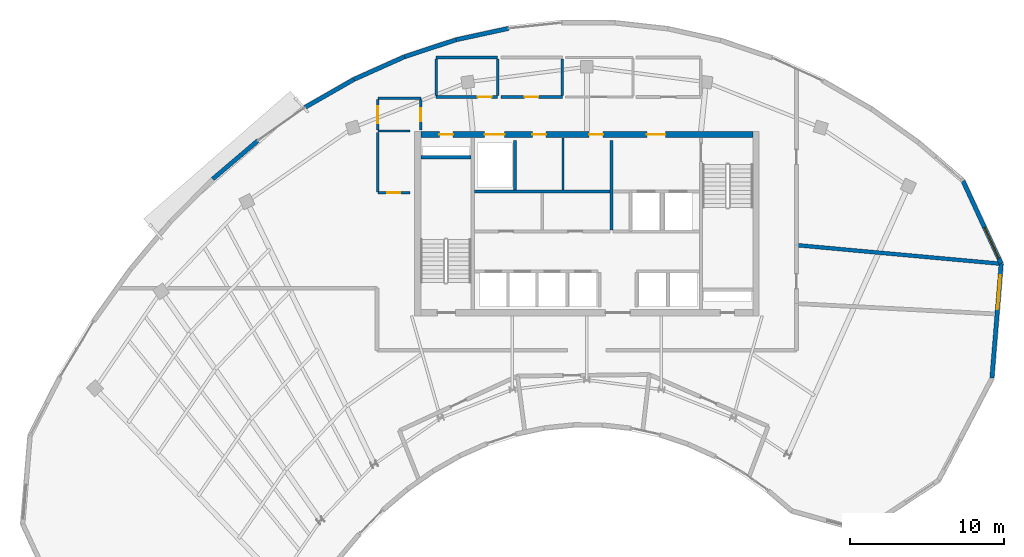
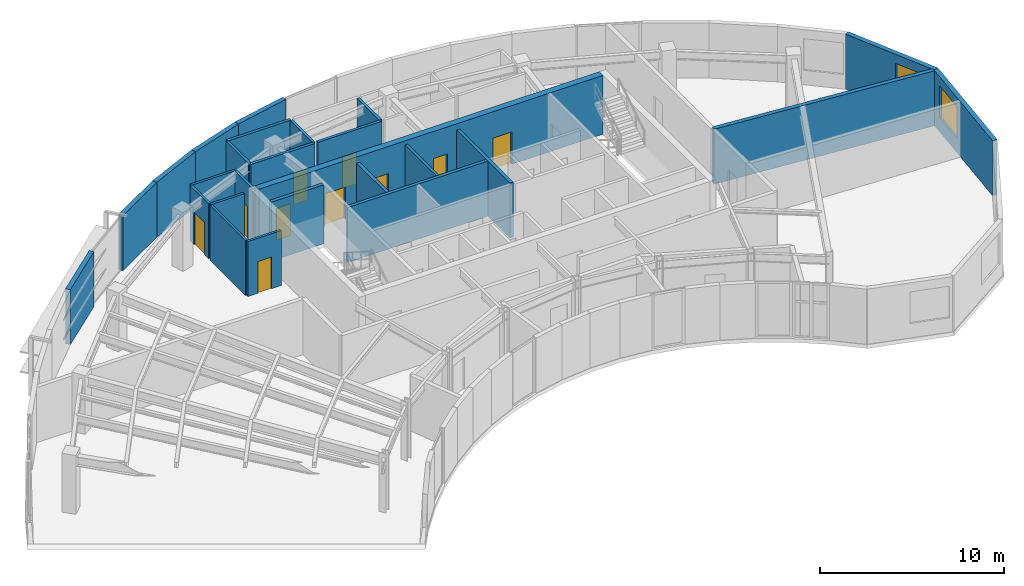
# One storey, part 10 of 12: 26 walls, 10 doors, 2 windows, 12 openings.
"""IFC4 building model written with IfcOpenShell, lengths in metres."""

import ifcopenshell
import ifcopenshell.guid

model = None  # the IFC model being written
_history = None  # IfcOwnerHistory: only IFC2X3 demands one
_inside = {}  # id of a spatial element -> (the spatial element, [elements in it])
_under = {}  # id of a project, library or spatial element -> (it, [spatial elements below it])
_declared = {}  # id of a project -> (the project, [libraries it declares])
_typed = {}  # id of a type object -> (the type object, [elements of that type])
_made_of = {}  # id of a material, layer set ... -> (it, [elements and type objects made of it])


def new_model(schema):
    """Start an empty IFC model of exactly this schema.

    Asked for "IFC4X3", IfcOpenShell would pick the latest addendum, in which some entities
    have other attributes; the version numbers below select the first issue.
    IFC2X3 requires an IfcOwnerHistory on every rooted entity: one is made here for all.
    """
    global model, _history
    if schema == "IFC4X3":
        model = ifcopenshell.file(schema_version=(4, 3, 0, 0))
    else:
        model = ifcopenshell.file(schema=schema)
    _inside.clear()
    _under.clear()
    _declared.clear()
    _typed.clear()
    _made_of.clear()
    _history = None
    if model.schema == "IFC2X3":
        org = make("IfcOrganization", Name="unknown")
        user = make(
            "IfcPersonAndOrganization",
            ThePerson=make("IfcPerson", FamilyName="unknown"),
            TheOrganization=org,
        )
        app = make(
            "IfcApplication",
            ApplicationDeveloper=org,
            Version="unknown",
            ApplicationFullName="unknown",
            ApplicationIdentifier="unknown",
        )
        _history = make(
            "IfcOwnerHistory",
            OwningUser=user,
            OwningApplication=app,
            ChangeAction="ADDED",
            CreationDate=0,
        )
    return model


def make(cls, **values):
    """One entity of the class cls with the attributes given. An attribute that is None is left unset."""
    return model.create_entity(
        cls, **{name: value for name, value in values.items() if value is not None}
    )


def rooted(cls, **values):
    """An entity with a GlobalId (a new one), such as an element, a storey or a relation."""
    return make(cls, GlobalId=ifcopenshell.guid.new(), OwnerHistory=_history, **values)


def si_unit(unit_type, name, prefix=None):
    """IfcSIUnit, for example si_unit("LENGTHUNIT", "METRE", prefix="MILLI")."""
    return make("IfcSIUnit", UnitType=unit_type, Prefix=prefix, Name=name)


def assignment(units):
    """IfcUnitAssignment: the units of a project."""
    return None if units is None else make("IfcUnitAssignment", Units=units)


def point(xyz):
    """IfcCartesianPoint."""
    return None if xyz is None else make("IfcCartesianPoint", Coordinates=xyz)


def direction(xyz):
    """IfcDirection."""
    return None if xyz is None else make("IfcDirection", DirectionRatios=xyz)


def frame(location, z_axis=None, x_axis=None):
    """IfcAxis2Placement3D, a coordinate frame: its origin and axes. An axis left out is left unset."""
    return make(
        "IfcAxis2Placement3D",
        Location=point(location),
        Axis=direction(z_axis),
        RefDirection=direction(x_axis),
    )


def frame_2d(location, x_axis=None):
    """IfcAxis2Placement2D, a coordinate frame in the plane: its origin and x axis."""
    return make(
        "IfcAxis2Placement2D", Location=point(location), RefDirection=direction(x_axis)
    )


def origin():
    """The frame at (0, 0, 0) with its axes left unset."""
    return frame((0.0, 0.0, 0.0))


def place(relative_to, where):
    """IfcLocalPlacement: puts the frame where relative to a parent placement (None: the world)."""
    return make(
        "IfcLocalPlacement", PlacementRelTo=relative_to, RelativePlacement=where
    )


def context(
    kind, dimensions, precision=None, world=None, true_north=None, identifier=None
):
    """IfcGeometricRepresentationContext, for example the 3D "Model" context."""
    return make(
        "IfcGeometricRepresentationContext",
        ContextIdentifier=identifier,
        ContextType=kind,
        CoordinateSpaceDimension=dimensions,
        Precision=precision,
        WorldCoordinateSystem=world,
        TrueNorth=true_north,
    )


def subcontext(parent, identifier, kind, view, scale=None):
    """IfcGeometricRepresentationSubContext, for example "Body" below "Model"."""
    return make(
        "IfcGeometricRepresentationSubContext",
        ContextIdentifier=identifier,
        ContextType=kind,
        ParentContext=parent,
        TargetScale=scale,
        TargetView=view,
    )


def project(units=None, contexts=None):
    """IfcProject with its units and contexts."""
    return rooted(
        "IfcProject",
        Name="project",
        RepresentationContexts=contexts,
        UnitsInContext=assignment(units),
    )


def spatial(cls, under=None, at=None, **own):
    """A site, building, storey or space (cls), placed at a placement, below another one or the project."""
    s = rooted(cls, ObjectPlacement=at, **own)
    if under is not None:
        _under.setdefault(under.id(), (under, []))[1].append(s)
    return s


def profile(cls, at=None, kind="AREA", **sizes):
    """A parametric profile (cls). Its sizes go by their IFC names, for example OverallWidth=200.0."""
    return make(cls, ProfileType=kind, Position=at, **sizes)


def rectangle(**sizes):
    """IfcRectangleProfileDef."""
    return profile("IfcRectangleProfileDef", **sizes)


def extrude(swept, where, along, depth):
    """IfcExtrudedAreaSolid: the profile swept, set in the frame where, extruded along a direction by depth."""
    return make(
        "IfcExtrudedAreaSolid",
        SweptArea=swept,
        Position=where,
        ExtrudedDirection=direction(along),
        Depth=depth,
    )


def shape(context_of_items, identifier, shape_type, items):
    """IfcShapeRepresentation: the items that make up one representation, for example the "Body"."""
    return make(
        "IfcShapeRepresentation",
        ContextOfItems=context_of_items,
        RepresentationIdentifier=identifier,
        RepresentationType=shape_type,
        Items=items,
    )


def source(mapping_origin, context_of_items, identifier, shape_type, items):
    """IfcRepresentationMap: a shape defined once, which mapped items show again and again."""
    return make(
        "IfcRepresentationMap",
        MappingOrigin=mapping_origin,
        MappedRepresentation=shape(context_of_items, identifier, shape_type, items),
    )


def transform(
    local_origin,
    x_axis=None,
    y_axis=None,
    z_axis=None,
    scale=None,
    scale2=None,
    scale3=None,
    uniform=True,
):
    """IfcCartesianTransformationOperator3D, or its non-uniform kind. x_axis, y_axis, z_axis: its Axis1, 2, 3."""
    if uniform:
        return make(
            "IfcCartesianTransformationOperator3D",
            Axis1=direction(x_axis),
            Axis2=direction(y_axis),
            LocalOrigin=point(local_origin),
            Scale=scale,
            Axis3=direction(z_axis),
        )
    return make(
        "IfcCartesianTransformationOperator3DnonUniform",
        Axis1=direction(x_axis),
        Axis2=direction(y_axis),
        LocalOrigin=point(local_origin),
        Scale=scale,
        Axis3=direction(z_axis),
        Scale2=scale2,
        Scale3=scale3,
    )


def mapped(mapping_source, mapping_target):
    """IfcMappedItem: shows the shape of a source again, moved by a transform."""
    return make(
        "IfcMappedItem", MappingSource=mapping_source, MappingTarget=mapping_target
    )


def material(Name=None, Category=None):
    """IfcMaterial."""
    return make("IfcMaterial", Name=Name, Category=Category)


def layer(
    of_material, thickness, ventilated=None, Name=None, Category=None, Priority=None
):
    """IfcMaterialLayer: one layer of a wall or slab, of a material (None: an air gap)."""
    return make(
        "IfcMaterialLayer",
        Material=of_material,
        LayerThickness=thickness,
        IsVentilated=ventilated,
        Name=Name,
        Category=Category,
        Priority=Priority,
    )


def layer_set(layers, Name=None):
    """IfcMaterialLayerSet."""
    return make("IfcMaterialLayerSet", MaterialLayers=layers, LayerSetName=Name)


def made_of(thing, what):
    """Note that an element or type object is made of a material, layer set ...; save() writes the relation."""
    if what is not None:
        _made_of.setdefault(what.id(), (what, []))[1].append(thing)
    return thing


def type_object(cls, material=None, **own):
    """A type object (cls), such as IfcWallType, which elements share."""
    return made_of(rooted(cls, **own), material)


def type_shapes(of_type, sources):
    """Give a type object the sources (RepresentationMaps) that its elements show as mapped items."""
    of_type.RepresentationMaps = sources


def element(
    cls,
    number,
    at=None,
    inside=None,
    cuts=None,
    type_object=None,
    material=None,
    context=None,
    identifier="Body",
    shape_type=None,
    held_by="IfcProductDefinitionShape",
    body=None,
    shapes=None,
    **own,
):
    """One element of the class cls, such as IfcWall. Its Tag is "e" and its number.

    at: its placement. inside: the storey or other place that contains it. cuts: it is an
    opening in that element (IfcRelVoidsElement). A single representation is given by context,
    identifier, shape_type and body (its items); several are given by shapes. held_by: the class
    of the entity that holds the representations. save() writes the other relations.
    """
    e = rooted(cls, Tag="e%d" % number, ObjectPlacement=at, **own)
    if body is not None:
        shapes = [shape(context, identifier, shape_type, body)]
    if shapes is not None:
        e.Representation = make(held_by, Representations=shapes)
    if inside is not None:
        _inside.setdefault(inside.id(), (inside, []))[1].append(e)
    if cuts is not None:
        rooted(
            "IfcRelVoidsElement", RelatingBuildingElement=cuts, RelatedOpeningElement=e
        )
    if type_object is not None:
        _typed.setdefault(type_object.id(), (type_object, []))[1].append(e)
    return made_of(e, material)


def fill(opening, filler):
    """IfcRelFillsElement: the door or window that sits in an opening."""
    return rooted(
        "IfcRelFillsElement",
        RelatingOpeningElement=opening,
        RelatedBuildingElement=filler,
    )


def aggregate(whole, parts):
    """IfcRelAggregates: a whole, such as a stair, and the parts it consists of."""
    return rooted("IfcRelAggregates", RelatingObject=whole, RelatedObjects=parts)


def save(model, path):
    """Write the relations noted so far, then the file.

    IfcRelAggregates (storeys below a building ...), IfcRelContainedInSpatialStructure (elements
    in a storey), IfcRelDefinesByType, IfcRelAssociatesMaterial and IfcRelDeclares: one each for
    every whole, place, type object, material and project.
    """
    for whole, parts in _under.values():
        aggregate(whole, parts)
    for where, things in _inside.values():
        rooted(
            "IfcRelContainedInSpatialStructure",
            RelatedElements=things,
            RelatingStructure=where,
        )
    for kind, things in _typed.values():
        rooted("IfcRelDefinesByType", RelatedObjects=things, RelatingType=kind)
    for what, things in _made_of.values():
        rooted("IfcRelAssociatesMaterial", RelatedObjects=things, RelatingMaterial=what)
    for by, libraries in _declared.values():
        rooted("IfcRelDeclares", RelatingContext=by, RelatedDefinitions=libraries)
    model.write(path)


model = new_model("IFC4")

# Units and contexts
model_context = context("Model", 3, precision=1e-05, world=origin(), true_north=direction((0.0, 1.0)))
body_context = subcontext(model_context, "Body", "Model", "MODEL_VIEW")
ifc_project = project(units=[si_unit("LENGTHUNIT", "METRE"), si_unit("AREAUNIT", "SQUARE_METRE"), si_unit("VOLUMEUNIT", "CUBIC_METRE"), si_unit("PLANEANGLEUNIT", "RADIAN"), si_unit("MASSUNIT", "GRAM", prefix="KILO")], contexts=[model_context])

# Site, building, storey
site_placement = place(None, origin())
site = spatial("IfcSite", under=ifc_project, at=site_placement, CompositionType="ELEMENT")
building_placement = place(site_placement, origin())
building = spatial("IfcBuilding", under=site, at=building_placement, Name="Breltana Convention Tower", CompositionType="ELEMENT")
storey_placement = place(building_placement, frame((0.0, 0.0, 264.0)))
storey = spatial("IfcBuildingStorey", under=building, at=storey_placement, Name="L64", CompositionType="ELEMENT", Elevation=264.0)

# Wall
ifc_material_1 = material(Name="Concrete C50/60", Category="concrete")
ifc_layer_1 = layer(ifc_material_1, 0.39990234375, Name="Concrete C50/60")
ifc_layer_set_1 = layer_set([ifc_layer_1], Name="Concrete C50/60")
wall_type_1 = type_object("IfcWallType", Name="SW-CORE-400", PredefinedType="SHEAR", material=ifc_layer_set_1)
shared_shape_1 = source(origin(), body_context, "Body", "SweptSolid", [
    extrude(rectangle(XDim=3.27001953125, YDim=0.219970703125, at=frame_2d((1.635009765625, 0.0))), origin(), (0.0, 0.0, 1.0), 3.89990234375),
])
wall_1_placement = place(storey_placement, frame((37.199951171875, 70.510009765625, 0.0), z_axis=(0.0, 0.0, 1.0), x_axis=(1.0, 0.0, 0.0)))
element("IfcWall", 1, at=wall_1_placement, inside=storey, type_object=wall_type_1, Name="L64 ST-1 Stairwell North Bearing Wall", PredefinedType="SHEAR", context=body_context, shape_type="MappedRepresentation", body=[
    mapped(shared_shape_1, transform((0.0, 0.0, 0.0), scale=1.0)),
])

# Wall, openings, doors
shared_shape_2 = source(origin(), body_context, "Body", "SweptSolid", [
    extrude(rectangle(XDim=21.60009765625, YDim=0.39990234375, at=frame_2d((10.800048828125, 0.0))), origin(), (0.0, 0.0, 1.0), 3.89990234375),
])
wall_2_placement = place(storey_placement, frame((37.199951171875, 72.0, 0.0), z_axis=(0.0, 0.0, 1.0), x_axis=(1.0, 0.0, 0.0)))
wall_2 = element("IfcWall", 2, at=wall_2_placement, inside=storey, type_object=wall_type_1, Name="L64 North Core Shear Wall", PredefinedType="SHEAR", context=body_context, shape_type="MappedRepresentation", body=[
    mapped(shared_shape_2, transform((0.0, 0.0, 0.0), scale=1.0)),
])
opening_1_placement = place(wall_2_placement, frame((1.199951171875, 0.0, 0.0)))
opening_1 = element("IfcOpeningElement", 3, at=opening_1_placement, cuts=wall_2, Name="Opening D-18", PredefinedType="OPENING", context=body_context, shape_type="SweptSolid", body=[
    extrude(rectangle(XDim=0.89990234375, YDim=2.10009765625, at=frame_2d((0.449951171875, 1.050048828125))), frame((0.0, 0.2099609375, 0.0), z_axis=(0.0, -1.0, 0.0), x_axis=(1.0, 0.0, 0.0)), (0.0, 0.0, 1.0), 0.419921875),
])
opening_2_placement = place(wall_2_placement, frame((14.699951171875, 0.0, 0.0)))
opening_2 = element("IfcOpeningElement", 4, at=opening_2_placement, cuts=wall_2, Name="Opening D-09", PredefinedType="OPENING", context=body_context, shape_type="SweptSolid", body=[
    extrude(rectangle(XDim=1.199951171875, YDim=2.14990234375, at=frame_2d((0.60009765625, 1.074951171875))), frame((0.0, 0.2099609375, 0.0), z_axis=(0.0, -1.0, 0.0), x_axis=(1.0, 0.0, 0.0)), (0.0, 0.0, 1.0), 0.419921875),
])
opening_3_placement = place(wall_2_placement, frame((4.14990234375, 0.0, 0.0)))
opening_3 = element("IfcOpeningElement", 5, at=opening_3_placement, cuts=wall_2, Name="Opening LD-01", PredefinedType="OPENING", context=body_context, shape_type="SweptSolid", body=[
    extrude(rectangle(XDim=1.300048828125, YDim=2.14990234375, at=frame_2d((0.64990234375, 1.074951171875))), frame((0.0, 0.2099609375, 0.0), z_axis=(0.0, -1.0, 0.0), x_axis=(1.0, 0.0, 0.0)), (0.0, 0.0, 1.0), 0.419921875),
])
opening_4_placement = place(wall_2_placement, frame((7.25, 0.0, 0.0)))
opening_4 = element("IfcOpeningElement", 6, at=opening_4_placement, cuts=wall_2, Name="Opening D-18", PredefinedType="OPENING", context=body_context, shape_type="SweptSolid", body=[
    extrude(rectangle(XDim=0.89990234375, YDim=2.10009765625, at=frame_2d((0.449951171875, 1.050048828125))), frame((0.0, 0.2099609375, 0.0), z_axis=(0.0, -1.0, 0.0), x_axis=(1.0, 0.0, 0.0)), (0.0, 0.0, 1.0), 0.419921875),
])
opening_5_placement = place(wall_2_placement, frame((10.949951171875, 0.0, 0.0)))
opening_5 = element("IfcOpeningElement", 7, at=opening_5_placement, cuts=wall_2, Name="Opening D-18", PredefinedType="OPENING", context=body_context, shape_type="SweptSolid", body=[
    extrude(rectangle(XDim=0.89990234375, YDim=2.10009765625, at=frame_2d((0.449951171875, 1.050048828125))), frame((0.0, 0.2099609375, 0.0), z_axis=(0.0, -1.0, 0.0), x_axis=(1.0, 0.0, 0.0)), (0.0, 0.0, 1.0), 0.419921875),
])
ifc_material_2 = material(Name="Steel Riser Fire Door", Category="steel")
door_type_1 = type_object("IfcDoorType", Name="DR-FD60-900", OperationType="NOTDEFINED", PredefinedType="DOOR", material=ifc_material_2)
shared_shape_3 = source(origin(), body_context, "Body", "SweptSolid", [
    extrude(rectangle(XDim=0.89990234375, YDim=2.10009765625, at=frame_2d((0.449951171875, 1.050048828125))), frame((0.0, 0.02490234375, 0.0), z_axis=(0.0, -1.0, 0.0), x_axis=(1.0, 0.0, 0.0)), (0.0, 0.0, 1.0), 0.050048828125),
])
type_shapes(door_type_1, [shared_shape_3])
door_1_placement = place(opening_1_placement, origin())
door_1 = element("IfcDoor", 8, at=door_1_placement, inside=storey, type_object=door_type_1, Name="L64 Core Riser Access Door D-L64-RS1", OperationType="SINGLE_SWING_LEFT", OverallHeight=2.10009765625, OverallWidth=0.89990234375, PredefinedType="DOOR", context=body_context, shape_type="MappedRepresentation", body=[
    mapped(shared_shape_3, transform((0.0, 0.0, 0.0), scale=1.0)),
])
fill(opening_1, door_1)
door_2_placement = place(opening_4_placement, origin())
door_2 = element("IfcDoor", 9, at=door_2_placement, inside=storey, type_object=door_type_1, Name="L64 interior door D-L64-CRA1", OperationType="SINGLE_SWING_RIGHT", OverallHeight=2.10009765625, OverallWidth=0.89990234375, PredefinedType="DOOR", context=body_context, shape_type="MappedRepresentation", body=[
    mapped(shared_shape_3, transform((0.0, 0.0, 0.0), scale=1.0)),
])
fill(opening_4, door_2)
door_3_placement = place(opening_5_placement, origin())
door_3 = element("IfcDoor", 10, at=door_3_placement, inside=storey, type_object=door_type_1, Name="L64 interior door D-L64-CRA2", OperationType="SINGLE_SWING_LEFT", OverallHeight=2.10009765625, OverallWidth=0.89990234375, PredefinedType="DOOR", context=body_context, shape_type="MappedRepresentation", body=[
    mapped(shared_shape_3, transform((0.0, 0.0, 0.0), scale=1.0)),
])
fill(opening_5, door_3)
ifc_material_3 = material(Name="Steel Fire Lobby Door", Category="steel")
door_type_2 = type_object("IfcDoorType", Name="DR-FD120-1200", OperationType="NOTDEFINED", PredefinedType="DOOR", material=ifc_material_3)
shared_shape_4 = source(origin(), body_context, "Body", "SweptSolid", [
    extrude(rectangle(XDim=1.199951171875, YDim=2.14990234375, at=frame_2d((0.60009765625, 1.074951171875))), frame((0.0, 0.02490234375, 0.0), z_axis=(0.0, -1.0, 0.0), x_axis=(1.0, 0.0, 0.0)), (0.0, 0.0, 1.0), 0.050048828125),
])
type_shapes(door_type_2, [shared_shape_4])
door_4_placement = place(opening_2_placement, origin())
door_4 = element("IfcDoor", 11, at=door_4_placement, inside=storey, type_object=door_type_2, Name="L64 interior door D-L64-FFL-N", OperationType="SINGLE_SWING_RIGHT", OverallHeight=2.14990234375, OverallWidth=1.199951171875, PredefinedType="DOOR", context=body_context, shape_type="MappedRepresentation", body=[
    mapped(shared_shape_4, transform((0.0, 0.0, 0.0), scale=1.0)),
])
fill(opening_2, door_4)
ifc_material_4 = material(Name="Stainless Steel Brushed", Category="steel")
door_type_3 = type_object("IfcDoorType", Name="DR-LD-SRV-1300", OperationType="DOUBLE_DOOR_SLIDING", PredefinedType="DOOR", material=ifc_material_4)
shared_shape_5 = source(origin(), body_context, "Body", "SweptSolid", [
    extrude(rectangle(XDim=1.300048828125, YDim=2.14990234375, at=frame_2d((0.64990234375, 1.074951171875))), frame((0.0, 0.02490234375, 0.0), z_axis=(0.0, -1.0, 0.0), x_axis=(1.0, 0.0, 0.0)), (0.0, 0.0, 1.0), 0.050048828125),
])
type_shapes(door_type_3, [shared_shape_5])
door_5_placement = place(opening_3_placement, origin())
door_5 = element("IfcDoor", 12, at=door_5_placement, inside=storey, type_object=door_type_3, Name="L64 Lift Landing Door D-L64-LD-SV1", OperationType="DOUBLE_DOOR_SLIDING", OverallHeight=2.14990234375, OverallWidth=1.300048828125, PredefinedType="DOOR", context=body_context, shape_type="MappedRepresentation", body=[
    mapped(shared_shape_5, transform((0.0, 0.0, 0.0), scale=1.0)),
])
fill(opening_3, door_5)

# Wall, opening, window
ifc_material_5 = material(Name="Limestone Buff Insulated Wall", Category="masonry")
ifc_layer_2 = layer(ifc_material_5, 0.280029296875, Name="Limestone Buff Insulated Wall")
ifc_layer_set_2 = layer_set([ifc_layer_2], Name="Limestone Buff Insulated Wall")
wall_type_2 = type_object("IfcWallType", Name="WL-EXT-NOSE-280", PredefinedType="SOLIDWALL", material=ifc_layer_set_2)
shared_shape_6 = source(origin(), body_context, "Body", "SweptSolid", [
    extrude(rectangle(XDim=5.927978515625, YDim=0.280029296875, at=frame_2d((2.9638671875, 0.0))), origin(), (0.0, 0.0, 1.0), 3.64990234375),
])
wall_3_placement = place(storey_placement, frame((72.45947265625, 68.978759765625, 0.0), z_axis=(0.0, 0.0, 1.0), x_axis=(0.41942378221, -0.907790554543, 0.0)))
wall_3 = element("IfcWall", 13, at=wall_3_placement, inside=storey, type_object=wall_type_2, Name="L64 curved limestone nose wall E1", PredefinedType="SOLIDWALL", context=body_context, shape_type="MappedRepresentation", body=[
    mapped(shared_shape_6, transform((0.0, 0.0, 0.0), scale=1.0)),
])
opening_6_placement = place(wall_3_placement, frame((3.345947265625, 0.0, 0.949951171875)))
opening_6 = element("IfcOpeningElement", 14, at=opening_6_placement, cuts=wall_3, Name="Opening W-03", PredefinedType="OPENING", context=body_context, shape_type="SweptSolid", body=[
    extrude(rectangle(XDim=2.199951171875, YDim=2.10009765625, at=frame_2d((1.10009765625, 1.050048828125))), frame((0.0, 0.14990234375, 0.0), z_axis=(0.0, -1.0, 0.0), x_axis=(1.0, 0.0, 0.0)), (0.0, 0.0, 1.0), 0.300048828125),
])
ifc_material_6 = material(Name="Glass Low-E Insulated Window", Category="glass")
window_type = type_object("IfcWindowType", Name="WN-NOSE-2200X2100", PartitioningType="TRIPLE_PANEL_VERTICAL", PredefinedType="WINDOW", material=ifc_material_6)
shared_shape_7 = source(origin(), body_context, "Body", "SweptSolid", [
    extrude(rectangle(XDim=2.199951171875, YDim=2.10009765625, at=frame_2d((1.10009765625, 1.050048828125))), frame((0.0, 0.030029296875, 0.0), z_axis=(0.0, -1.0, 0.0), x_axis=(1.0, 0.0, 0.0)), (0.0, 0.0, 1.0), 0.06005859375),
])
type_shapes(window_type, [shared_shape_7])
window_1_placement = place(opening_6_placement, origin())
window_1 = element("IfcWindow", 15, at=window_1_placement, inside=storey, type_object=window_type, Name="L64 nose window E1", OverallHeight=2.10009765625, OverallWidth=2.199951171875, PartitioningType="TRIPLE_PANEL_VERTICAL", PredefinedType="WINDOW", context=body_context, shape_type="MappedRepresentation", body=[
    mapped(shared_shape_7, transform((0.0, 0.0, 0.0), scale=1.0)),
])
fill(opening_6, window_1)

shared_shape_8 = source(origin(), body_context, "Body", "SweptSolid", [
    extrude(rectangle(XDim=7.4658203125, YDim=0.280029296875, at=frame_2d((3.73291015625, 0.0))), origin(), (0.0, 0.0, 1.0), 3.64990234375),
])
wall_4_placement = place(storey_placement, frame((74.94580078125, 63.597412109375, 0.0), z_axis=(0.0, 0.0, 1.0), x_axis=(-0.080804454221, -0.996729973553, 0.0)))
wall_4 = element("IfcWall", 16, at=wall_4_placement, inside=storey, type_object=wall_type_2, Name="L64 curved limestone nose wall E2", PredefinedType="SOLIDWALL", context=body_context, shape_type="MappedRepresentation", body=[
    mapped(shared_shape_8, transform((0.0, 0.0, 0.0), scale=1.0)),
])
opening_7_placement = place(wall_4_placement, frame((0.7666015625, 0.0, 0.949951171875)))
opening_7 = element("IfcOpeningElement", 17, at=opening_7_placement, cuts=wall_4, Name="Opening W-03", PredefinedType="OPENING", context=body_context, shape_type="SweptSolid", body=[
    extrude(rectangle(XDim=2.199951171875, YDim=2.10009765625, at=frame_2d((1.10009765625, 1.050048828125))), frame((0.0, 0.14990234375, 0.0), z_axis=(0.0, -1.0, 0.0), x_axis=(1.0, 0.0, 0.0)), (0.0, 0.0, 1.0), 0.300048828125),
])
window_2_placement = place(opening_7_placement, origin())
window_2 = element("IfcWindow", 18, at=window_2_placement, inside=storey, type_object=window_type, Name="L64 nose window E2", OverallHeight=2.10009765625, OverallWidth=2.199951171875, PartitioningType="TRIPLE_PANEL_VERTICAL", PredefinedType="WINDOW", context=body_context, shape_type="MappedRepresentation", body=[
    mapped(shared_shape_7, transform((0.0, 0.0, 0.0), scale=1.0)),
])
fill(opening_7, window_2)

# Walls
shared_shape_9 = source(origin(), body_context, "Body", "SweptSolid", [
    extrude(rectangle(XDim=3.842529296875, YDim=0.280029296875, at=frame_2d((1.92138671875, 0.0))), origin(), (0.0, 0.0, 1.0), 3.64990234375),
])
wall_5_placement = place(storey_placement, frame((23.669677734375, 69.101318359375, 0.0), z_axis=(0.0, 0.0, 1.0), x_axis=(0.761508028279, 0.648155477387, 0.0)))
element("IfcWall", 19, at=wall_5_placement, inside=storey, type_object=wall_type_2, Name="L64 curved limestone nose wall E23", PredefinedType="SOLIDWALL", context=body_context, shape_type="MappedRepresentation", body=[
    mapped(shared_shape_9, transform((0.0, 0.0, 0.0), scale=1.0)),
])
shared_shape_10 = source(origin(), body_context, "Body", "SweptSolid", [
    extrude(rectangle(XDim=3.6708984375, YDim=0.280029296875, at=frame_2d((1.83544921875, 0.0))), origin(), (0.0, 0.0, 1.0), 3.64990234375),
])
wall_6_placement = place(storey_placement, frame((29.66162109375, 73.755615234375, 0.0), z_axis=(0.0, 0.0, 1.0), x_axis=(0.867931917784, 0.496683184829, 0.0)))
element("IfcWall", 20, at=wall_6_placement, inside=storey, type_object=wall_type_2, Name="L64 curved limestone nose wall E24", PredefinedType="SOLIDWALL", context=body_context, shape_type="MappedRepresentation", body=[
    mapped(shared_shape_10, transform((0.0, 0.0, 0.0), scale=1.0)),
])
shared_shape_11 = source(origin(), body_context, "Body", "SweptSolid", [
    extrude(rectangle(XDim=3.540283203125, YDim=0.280029296875, at=frame_2d((1.77001953125, 0.0))), origin(), (0.0, 0.0, 1.0), 3.64990234375),
])
wall_7_placement = place(storey_placement, frame((36.13232421875, 77.04931640625, 0.0), z_axis=(0.0, 0.0, 1.0), x_axis=(0.949678507031, 0.313226329165, 0.0)))
element("IfcWall", 21, at=wall_7_placement, inside=storey, type_object=wall_type_2, Name="L64 curved limestone nose wall E26", PredefinedType="SOLIDWALL", context=body_context, shape_type="MappedRepresentation", body=[
    mapped(shared_shape_11, transform((0.0, 0.0, 0.0), scale=1.0)),
])
shared_shape_12 = source(origin(), body_context, "Body", "SweptSolid", [
    extrude(rectangle(XDim=3.49658203125, YDim=0.280029296875, at=frame_2d((1.748291015625, 0.0))), origin(), (0.0, 0.0, 1.0), 3.64990234375),
])
wall_8_placement = place(storey_placement, frame((39.494384765625, 78.158203125, 0.0), z_axis=(0.0, 0.0, 1.0), x_axis=(0.977379460136, 0.211493240802, 0.0)))
element("IfcWall", 22, at=wall_8_placement, inside=storey, type_object=wall_type_2, Name="L64 curved limestone nose wall E27", PredefinedType="SOLIDWALL", context=body_context, shape_type="MappedRepresentation", body=[
    mapped(shared_shape_12, transform((0.0, 0.0, 0.0), scale=1.0)),
])
shared_shape_13 = source(origin(), body_context, "Body", "SweptSolid", [
    extrude(rectangle(XDim=3.598876953125, YDim=0.280029296875, at=frame_2d((1.79931640625, 0.0))), origin(), (0.0, 0.0, 1.0), 3.64990234375),
])
wall_9_placement = place(storey_placement, frame((32.84765625, 75.578857421875, 0.0), z_axis=(0.0, 0.0, 1.0), x_axis=(0.912714407797, 0.40859810303, 0.0)))
element("IfcWall", 23, at=wall_9_placement, inside=storey, type_object=wall_type_2, Name="L64 curved limestone nose wall E25", PredefinedType="SOLIDWALL", context=body_context, shape_type="MappedRepresentation", body=[
    mapped(shared_shape_13, transform((0.0, 0.0, 0.0), scale=1.0)),
])
ifc_material_7 = material(Name="Autoclaved Aerated Concrete Block", Category="concrete")
ifc_layer_3 = layer(ifc_material_7, 0.199951171875, Name="Autoclaved Aerated Concrete Block")
ifc_layer_set_3 = layer_set([ifc_layer_3], Name="Autoclaved Aerated Concrete Block")
wall_type_3 = type_object("IfcWallType", Name="WL-SHAFT-200", PredefinedType="SOLIDWALL", material=ifc_layer_set_3)
shared_shape_14 = source(origin(), body_context, "Body", "SweptSolid", [
    extrude(rectangle(XDim=5.800048828125, YDim=0.199951171875, at=frame_2d((2.89990234375, 0.0))), origin(), (0.0, 0.0, 1.0), 3.64990234375),
])
wall_10_placement = place(storey_placement, frame((49.60009765625, 65.800048828125, 0.0), z_axis=(0.0, 0.0, 1.0), x_axis=(0.0, 1.0, 0.0)))
element("IfcWall", 24, at=wall_10_placement, inside=storey, type_object=wall_type_3, Name="L64 interior partition W-L64-FFL-W", PredefinedType="SOLIDWALL", context=body_context, shape_type="MappedRepresentation", body=[
    mapped(shared_shape_14, transform((0.0, 0.0, 0.0), scale=1.0)),
])
shared_shape_15 = source(origin(), body_context, "Body", "SweptSolid", [
    extrude(rectangle(XDim=3.2001953125, YDim=0.199951171875, at=frame_2d((1.60009765625, 0.0))), origin(), (0.0, 0.0, 1.0), 3.64990234375),
])
wall_11_placement = place(storey_placement, frame((43.320068359375, 68.39990234375, 0.0), z_axis=(0.0, 0.0, 1.0), x_axis=(0.0, 1.0, 0.0)))
element("IfcWall", 25, at=wall_11_placement, inside=storey, type_object=wall_type_3, Name="L64 interior partition W-L64-SV-E", PredefinedType="SOLIDWALL", context=body_context, shape_type="MappedRepresentation", body=[
    mapped(shared_shape_15, transform((0.0, 0.0, 0.0), scale=1.0)),
])
shared_shape_16 = source(origin(), body_context, "Body", "SweptSolid", [
    extrude(rectangle(XDim=8.800048828125, YDim=0.199951171875, at=frame_2d((4.39990234375, 0.0))), origin(), (0.0, 0.0, 1.0), 3.64990234375),
])
wall_12_placement = place(storey_placement, frame((40.699951171875, 68.300048828125, 0.0), z_axis=(0.0, 0.0, 1.0), x_axis=(1.0, 0.0, 0.0)))
element("IfcWall", 26, at=wall_12_placement, inside=storey, type_object=wall_type_3, Name="L64 interior partition W-L64-SV-S", PredefinedType="SOLIDWALL", context=body_context, shape_type="MappedRepresentation", body=[
    mapped(shared_shape_16, transform((0.0, 0.0, 0.0), scale=1.0)),
])
ifc_material_8 = material(Name="Gypsum Acoustic Drywall Partition")
ifc_layer_4 = layer(ifc_material_8, 0.14990234375, Name="Gypsum Acoustic Drywall Partition")
ifc_layer_set_4 = layer_set([ifc_layer_4], Name="Gypsum Acoustic Drywall Partition")
wall_type_4 = type_object("IfcWallType", Name="WL-PART-150", PredefinedType="PARTITIONING", material=ifc_layer_set_4)
shared_shape_17 = source(origin(), body_context, "Body", "SweptSolid", [
    extrude(rectangle(XDim=2.10009765625, YDim=0.14990234375, at=frame_2d((1.050048828125, 0.0))), origin(), (0.0, 0.0, 1.0), 3.64990234375),
])
wall_13_placement = place(storey_placement, frame((34.39990234375, 72.219970703125, 0.0), z_axis=(0.0, 0.0, 1.0), x_axis=(1.0, 0.0, 0.0)))
element("IfcWall", 27, at=wall_13_placement, inside=storey, type_object=wall_type_4, Name="L64 interior partition W-L64-CRNW-S", PredefinedType="PARTITIONING", context=body_context, shape_type="MappedRepresentation", body=[
    mapped(shared_shape_17, transform((0.0, 0.0, 0.0), scale=1.0)),
])

# Wall, opening, door
wall_14_placement = place(storey_placement, frame((34.39990234375, 68.199951171875, 0.0), z_axis=(0.0, 0.0, 1.0), x_axis=(1.0, 0.0, 0.0)))
wall_14 = element("IfcWall", 28, at=wall_14_placement, inside=storey, type_object=wall_type_4, Name="L64 interior partition W-L64-CRSW-S", PredefinedType="PARTITIONING", context=body_context, shape_type="MappedRepresentation", body=[
    mapped(shared_shape_17, transform((0.0, 0.0, 0.0), scale=1.0)),
])
opening_8_placement = place(wall_14_placement, frame((0.625, 0.0, 0.0)))
opening_8 = element("IfcOpeningElement", 29, at=opening_8_placement, cuts=wall_14, Name="Opening D-20", PredefinedType="OPENING", context=body_context, shape_type="SweptSolid", body=[
    extrude(rectangle(XDim=0.85009765625, YDim=2.10009765625, at=frame_2d((0.425048828125, 1.050048828125))), frame((0.0, 0.0849609375, 0.0), z_axis=(0.0, -1.0, 0.0), x_axis=(1.0, 0.0, 0.0)), (0.0, 0.0, 1.0), 0.169921875),
])
ifc_material_9 = material(Name="Steel Closet Fire Door", Category="steel")
door_type_4 = type_object("IfcDoorType", Name="DR-FD60-850", OperationType="NOTDEFINED", PredefinedType="DOOR", material=ifc_material_9)
shared_shape_18 = source(origin(), body_context, "Body", "SweptSolid", [
    extrude(rectangle(XDim=0.85009765625, YDim=2.10009765625, at=frame_2d((0.425048828125, 1.050048828125))), frame((0.0, 0.02490234375, 0.0), z_axis=(0.0, -1.0, 0.0), x_axis=(1.0, 0.0, 0.0)), (0.0, 0.0, 1.0), 0.050048828125),
])
type_shapes(door_type_4, [shared_shape_18])
door_6_placement = place(opening_8_placement, origin())
door_6 = element("IfcDoor", 30, at=door_6_placement, inside=storey, type_object=door_type_4, Name="L64 interior door D-L64-CRSW", OperationType="SINGLE_SWING_LEFT", OverallHeight=2.10009765625, OverallWidth=0.85009765625, PredefinedType="DOOR", context=body_context, shape_type="MappedRepresentation", body=[
    mapped(shared_shape_18, transform((0.0, 0.0, 0.0), scale=1.0)),
])
fill(opening_8, door_6)

# Wall
shared_shape_19 = source(origin(), body_context, "Body", "SweptSolid", [
    extrude(rectangle(XDim=2.800048828125, YDim=0.14990234375, at=frame_2d((1.39990234375, 0.0))), origin(), (0.0, 0.0, 1.0), 3.64990234375),
])
wall_15_placement = place(storey_placement, frame((34.39990234375, 74.35009765625, 0.0), z_axis=(0.0, 0.0, 1.0), x_axis=(1.0, 0.0, 0.0)))
element("IfcWall", 31, at=wall_15_placement, inside=storey, type_object=wall_type_4, Name="L64 interior partition W-L64-CRNW-N", PredefinedType="PARTITIONING", context=body_context, shape_type="MappedRepresentation", body=[
    mapped(shared_shape_19, transform((0.0, 0.0, 0.0), scale=1.0)),
])

# Wall, opening, door
shared_shape_20 = source(origin(), body_context, "Body", "SweptSolid", [
    extrude(rectangle(XDim=1.994873046875, YDim=0.14990234375, at=frame_2d((0.99755859375, 0.0))), origin(), (0.0, 0.0, 1.0), 3.64990234375),
])
wall_16_placement = place(storey_placement, frame((34.39990234375, 72.28759765625, 0.0), z_axis=(0.0, 0.0, 1.0), x_axis=(0.0, 1.0, 0.0)))
wall_16 = element("IfcWall", 32, at=wall_16_placement, inside=storey, type_object=wall_type_4, Name="L64 interior partition W-L64-CRNW-W", PredefinedType="PARTITIONING", context=body_context, shape_type="MappedRepresentation", body=[
    mapped(shared_shape_20, transform((0.0, 0.0, 0.0), scale=1.0)),
])
opening_9_placement = place(wall_16_placement, frame((0.447509765625, 0.0, 0.0)))
opening_9 = element("IfcOpeningElement", 33, at=opening_9_placement, cuts=wall_16, Name="Opening D-12", PredefinedType="OPENING", context=body_context, shape_type="SweptSolid", body=[
    extrude(rectangle(XDim=1.10009765625, YDim=2.14990234375, at=frame_2d((0.550048828125, 1.074951171875))), frame((0.0, 0.0849609375, 0.0), z_axis=(0.0, -1.0, 0.0), x_axis=(1.0, 0.0, 0.0)), (0.0, 0.0, 1.0), 0.169921875),
])
ifc_material_10 = material(Name="Timber Oak Acoustic Door", Category="wood")
door_type_5 = type_object("IfcDoorType", Name="DR-INT-1100", OperationType="NOTDEFINED", PredefinedType="DOOR", material=ifc_material_10)
shared_shape_21 = source(origin(), body_context, "Body", "SweptSolid", [
    extrude(rectangle(XDim=1.10009765625, YDim=2.14990234375, at=frame_2d((0.550048828125, 1.074951171875))), frame((0.0, 0.02490234375, 0.0), z_axis=(0.0, -1.0, 0.0), x_axis=(1.0, 0.0, 0.0)), (0.0, 0.0, 1.0), 0.050048828125),
])
type_shapes(door_type_5, [shared_shape_21])
door_7_placement = place(opening_9_placement, origin())
door_7 = element("IfcDoor", 34, at=door_7_placement, inside=storey, type_object=door_type_5, Name="L64 interior door D-L64-EXW2", OperationType="SINGLE_SWING_RIGHT", OverallHeight=2.14990234375, OverallWidth=1.10009765625, PredefinedType="DOOR", context=body_context, shape_type="MappedRepresentation", body=[
    mapped(shared_shape_21, transform((0.0, 0.0, 0.0), scale=1.0)),
])
fill(opening_9, door_7)

shared_shape_22 = source(origin(), body_context, "Body", "SweptSolid", [
    extrude(rectangle(XDim=1.982421875, YDim=0.14990234375, at=frame_2d((0.9912109375, 0.0))), origin(), (0.0, 0.0, 1.0), 3.64990234375),
])
wall_17_placement = place(storey_placement, frame((37.199951171875, 72.300048828125, 0.0), z_axis=(0.0, 0.0, 1.0), x_axis=(0.0, 1.0, 0.0)))
wall_17 = element("IfcWall", 35, at=wall_17_placement, inside=storey, type_object=wall_type_4, Name="L64 interior partition W-L64-CRNW-E", PredefinedType="PARTITIONING", context=body_context, shape_type="MappedRepresentation", body=[
    mapped(shared_shape_22, transform((0.0, 0.0, 0.0), scale=1.0)),
])
opening_10_placement = place(wall_17_placement, frame((0.56640625, 0.0, 0.0)))
opening_10 = element("IfcOpeningElement", 36, at=opening_10_placement, cuts=wall_17, Name="Opening D-20", PredefinedType="OPENING", context=body_context, shape_type="SweptSolid", body=[
    extrude(rectangle(XDim=0.85009765625, YDim=2.10009765625, at=frame_2d((0.425048828125, 1.050048828125))), frame((0.0, 0.0849609375, 0.0), z_axis=(0.0, -1.0, 0.0), x_axis=(1.0, 0.0, 0.0)), (0.0, 0.0, 1.0), 0.169921875),
])
door_8_placement = place(opening_10_placement, origin())
door_8 = element("IfcDoor", 37, at=door_8_placement, inside=storey, type_object=door_type_4, Name="L64 interior door D-L64-CRNW", OperationType="SINGLE_SWING_RIGHT", OverallHeight=2.10009765625, OverallWidth=0.85009765625, PredefinedType="DOOR", context=body_context, shape_type="MappedRepresentation", body=[
    mapped(shared_shape_18, transform((0.0, 0.0, 0.0), scale=1.0)),
])
fill(opening_10, door_8)

# Wall
shared_shape_23 = source(origin(), body_context, "Body", "SweptSolid", [
    extrude(rectangle(XDim=3.844970703125, YDim=0.14990234375, at=frame_2d((1.92236328125, 0.0))), origin(), (0.0, 0.0, 1.0), 3.64990234375),
])
wall_18_placement = place(storey_placement, frame((34.39990234375, 68.267578125, 0.0), z_axis=(0.0, 0.0, 1.0), x_axis=(0.0, 1.0, 0.0)))
element("IfcWall", 38, at=wall_18_placement, inside=storey, type_object=wall_type_4, Name="L64 interior partition W-L64-CRSW-W", PredefinedType="PARTITIONING", context=body_context, shape_type="MappedRepresentation", body=[
    mapped(shared_shape_23, transform((0.0, 0.0, 0.0), scale=1.0)),
])

# Wall, opening, door
ifc_material_11 = material(Name="Cement Board Wet-Area Partition")
ifc_layer_5 = layer(ifc_material_11, 0.175048828125, Name="Cement Board Wet-Area Partition")
ifc_layer_set_5 = layer_set([ifc_layer_5], Name="Cement Board Wet-Area Partition")
wall_type_5 = type_object("IfcWallType", Name="WL-WET-175", PredefinedType="PARTITIONING", material=ifc_layer_set_5)
shared_shape_24 = source(origin(), body_context, "Body", "SweptSolid", [
    extrude(rectangle(XDim=4.0, YDim=0.175048828125, at=frame_2d((2.0, 0.0))), origin(), (0.0, 0.0, 1.0), 3.64990234375),
])
wall_19_placement = place(storey_placement, frame((38.199951171875, 74.43994140625, 0.0), z_axis=(0.0, 0.0, 1.0), x_axis=(1.0, 0.0, 0.0)))
wall_19 = element("IfcWall", 39, at=wall_19_placement, inside=storey, type_object=wall_type_5, Name="L64 interior partition W-L64-WCM-S", PredefinedType="PARTITIONING", context=body_context, shape_type="MappedRepresentation", body=[
    mapped(shared_shape_24, transform((0.0, 0.0, 0.0), scale=1.0)),
])
opening_11_placement = place(wall_19_placement, frame((2.699951171875, 0.0, 0.0)))
opening_11 = element("IfcOpeningElement", 40, at=opening_11_placement, cuts=wall_19, Name="Opening D-19", PredefinedType="OPENING", context=body_context, shape_type="SweptSolid", body=[
    extrude(rectangle(XDim=0.89990234375, YDim=2.080078125, at=frame_2d((0.449951171875, 1.0400390625))), frame((0.0, 0.09765625, 0.0), z_axis=(0.0, -1.0, 0.0), x_axis=(1.0, 0.0, 0.0)), (0.0, 0.0, 1.0), 0.195068359375),
])
ifc_material_12 = material(Name="Timber Moisture-Resistant Door", Category="wood")
door_type_6 = type_object("IfcDoorType", Name="DR-WC-900", OperationType="NOTDEFINED", PredefinedType="DOOR", material=ifc_material_12)
shared_shape_25 = source(origin(), body_context, "Body", "SweptSolid", [
    extrude(rectangle(XDim=0.89990234375, YDim=2.080078125, at=frame_2d((0.449951171875, 1.0400390625))), frame((0.0, 0.02490234375, 0.0), z_axis=(0.0, -1.0, 0.0), x_axis=(1.0, 0.0, 0.0)), (0.0, 0.0, 1.0), 0.050048828125),
])
type_shapes(door_type_6, [shared_shape_25])
door_9_placement = place(opening_11_placement, origin())
door_9 = element("IfcDoor", 41, at=door_9_placement, inside=storey, type_object=door_type_6, Name="L64 interior door D-L64-WCM", OperationType="SINGLE_SWING_RIGHT", OverallHeight=2.080078125, OverallWidth=0.89990234375, PredefinedType="DOOR", context=body_context, shape_type="MappedRepresentation", body=[
    mapped(shared_shape_25, transform((0.0, 0.0, 0.0), scale=1.0)),
])
fill(opening_11, door_9)

wall_20_placement = place(storey_placement, frame((42.39990234375, 74.43994140625, 0.0), z_axis=(0.0, 0.0, 1.0), x_axis=(1.0, 0.0, 0.0)))
wall_20 = element("IfcWall", 42, at=wall_20_placement, inside=storey, type_object=wall_type_5, Name="L64 interior partition W-L64-WCF-S", PredefinedType="PARTITIONING", context=body_context, shape_type="MappedRepresentation", body=[
    mapped(shared_shape_24, transform((0.0, 0.0, 0.0), scale=1.0)),
])
opening_12_placement = place(wall_20_placement, frame((1.550048828125, 0.0, 0.0)))
opening_12 = element("IfcOpeningElement", 43, at=opening_12_placement, cuts=wall_20, Name="Opening D-19", PredefinedType="OPENING", context=body_context, shape_type="SweptSolid", body=[
    extrude(rectangle(XDim=0.89990234375, YDim=2.080078125, at=frame_2d((0.449951171875, 1.0400390625))), frame((0.0, 0.09765625, 0.0), z_axis=(0.0, -1.0, 0.0), x_axis=(1.0, 0.0, 0.0)), (0.0, 0.0, 1.0), 0.195068359375),
])
door_10_placement = place(opening_12_placement, origin())
door_10 = element("IfcDoor", 44, at=door_10_placement, inside=storey, type_object=door_type_6, Name="L64 interior door D-L64-WCF", OperationType="SINGLE_SWING_LEFT", OverallHeight=2.080078125, OverallWidth=0.89990234375, PredefinedType="DOOR", context=body_context, shape_type="MappedRepresentation", body=[
    mapped(shared_shape_25, transform((0.0, 0.0, 0.0), scale=1.0)),
])
fill(opening_12, door_10)

# Walls
ifc_material_13 = material(Name="Moisture-Resistant Gypsum Chase Wall")
ifc_layer_6 = layer(ifc_material_13, 0.179931640625, Name="Moisture-Resistant Gypsum Chase Wall")
ifc_layer_set_6 = layer_set([ifc_layer_6], Name="Moisture-Resistant Gypsum Chase Wall")
wall_type_6 = type_object("IfcWallType", Name="WL-PLUMB-180", PredefinedType="PLUMBINGWALL", material=ifc_layer_set_6)
shared_shape_26 = source(origin(), body_context, "Body", "SweptSolid", [
    extrude(rectangle(XDim=4.0, YDim=0.179931640625, at=frame_2d((2.0, 0.0))), origin(), (0.0, 0.0, 1.0), 3.64990234375),
])
wall_21_placement = place(storey_placement, frame((38.199951171875, 77.0, 0.0), z_axis=(0.0, 0.0, 1.0), x_axis=(1.0, 0.0, 0.0)))
element("IfcWall", 45, at=wall_21_placement, inside=storey, type_object=wall_type_6, Name="L64 interior partition W-L64-WCM-N", PredefinedType="PLUMBINGWALL", context=body_context, shape_type="MappedRepresentation", body=[
    mapped(shared_shape_26, transform((0.0, 0.0, 0.0), scale=1.0)),
])
shared_shape_27 = source(origin(), body_context, "Body", "SweptSolid", [
    extrude(rectangle(XDim=2.402587890625, YDim=0.175048828125, at=frame_2d((1.201171875, 0.0))), origin(), (0.0, 0.0, 1.0), 3.64990234375),
])
for number, where, z_axis, x_axis, name in (
    (46, (38.199951171875, 74.518798828125, 0.0), (0.0, 0.0, 1.0), (0.0, 1.0, 0.0), "L64 interior partition W-L64-WCM-W"),
    (47, (42.199951171875, 74.518798828125, 0.0), (0.0, 0.0, 1.0), (0.0, 1.0, 0.0), "L64 interior partition W-L64-WCM-E"),
    (48, (46.39990234375, 74.518798828125, 0.0), (0.0, 0.0, 1.0), (0.0, 1.0, 0.0), "L64 interior partition W-L64-WCF-E"),
):
    element("IfcWall", number, at=place(storey_placement, frame(where, z_axis=z_axis, x_axis=x_axis)), inside=storey, type_object=wall_type_5, Name=name, PredefinedType="PARTITIONING", context=body_context, shape_type="MappedRepresentation", body=[
        mapped(shared_shape_27, transform((0.0, 0.0, 0.0), scale=1.0)),
    ])
ifc_material_14 = material(Name="Gypsum Acoustic Double Stud Wall")
ifc_layer_7 = layer(ifc_material_14, 0.25, Name="Gypsum Acoustic Double Stud Wall")
ifc_layer_set_7 = layer_set([ifc_layer_7], Name="Gypsum Acoustic Double Stud Wall")
wall_type_7 = type_object("IfcWallType", Name="WL-ACOUSTIC-250", PredefinedType="PARTITIONING", material=ifc_layer_set_7)
shared_shape_28 = source(origin(), body_context, "Body", "SweptSolid", [
    extrude(rectangle(XDim=13.227783203125, YDim=0.25, at=frame_2d((6.61376953125, 0.0))), origin(), (0.0, 0.0, 1.0), 3.64990234375),
])
wall_22_placement = place(storey_placement, frame((61.639892578125, 64.800048828125, 0.0), z_axis=(0.0, 0.0, 1.0), x_axis=(0.995868510157, -0.090806995755, 0.0)))
element("IfcWall", 49, at=wall_22_placement, inside=storey, type_object=wall_type_7, Name="L64 interior partition W-L64-EXE2-N", PredefinedType="PARTITIONING", context=body_context, shape_type="MappedRepresentation", body=[
    mapped(shared_shape_28, transform((0.0, 0.0, 0.0), scale=1.0)),
])
shared_shape_29 = source(origin(), body_context, "Body", "SweptSolid", [
    extrude(rectangle(XDim=3.380126953125, YDim=0.14990234375, at=frame_2d((1.68994140625, 0.0))), origin(), (0.0, 0.0, 1.0), 3.64990234375),
])
wall_23_placement = place(storey_placement, frame((46.449951171875, 68.39990234375, 0.0), z_axis=(0.0, 0.0, 1.0), x_axis=(0.0, 1.0, 0.0)))
element("IfcWall", 50, at=wall_23_placement, inside=storey, type_object=wall_type_4, Name="L64 interior partition W-L64-KV-1", PredefinedType="PARTITIONING", context=body_context, shape_type="MappedRepresentation", body=[
    mapped(shared_shape_29, transform((0.0, 0.0, 0.0), scale=1.0)),
])

save(model, "model.ifc")
